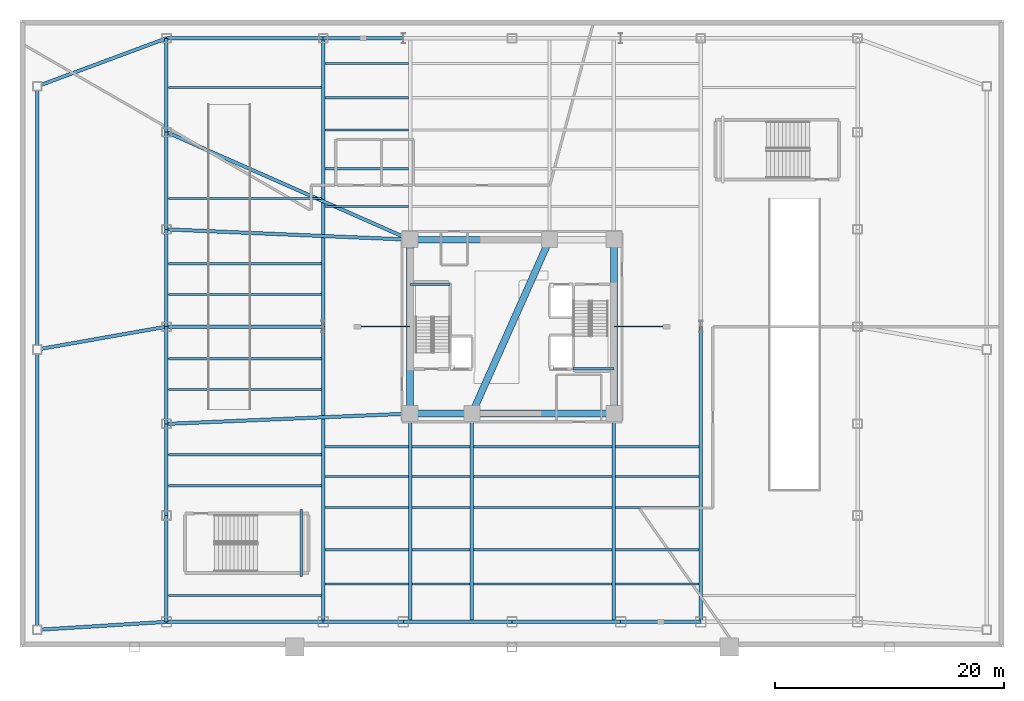
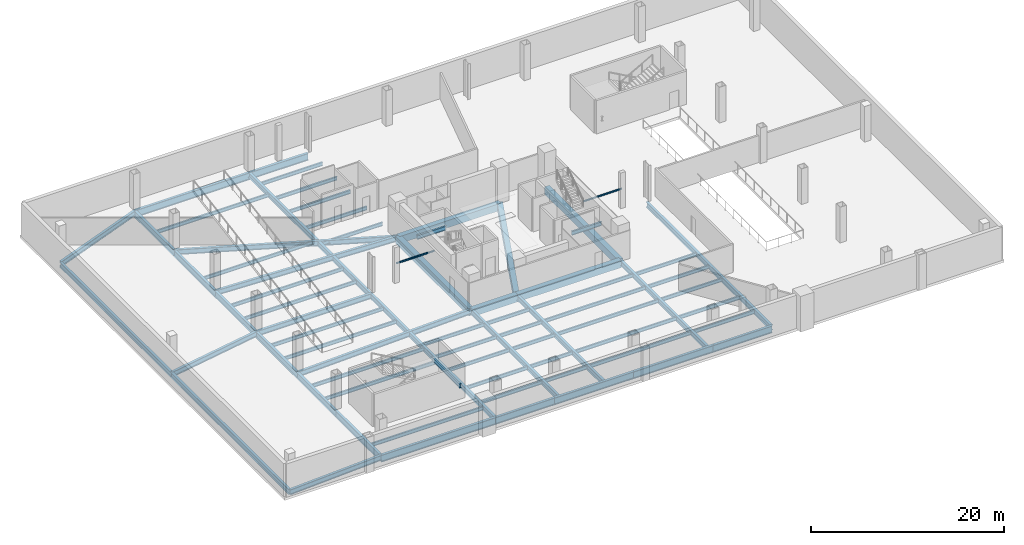
# One storey, part 3 of 14: 73 beams.
"""IFC4 building model written with IfcOpenShell, lengths in metres."""

from ifc_helpers import new_model, si_unit, direction, frame, origin, origin_2d, place, context, subcontext, project, spatial, rectangle, i_section, extrude, material, material_profile, profile_set, type_object, element, save


model = new_model("IFC4")

# Units and contexts
model_context = context("Model", 3, precision=1e-05, world=origin(), true_north=direction((0.0, 1.0)))
body_context = subcontext(model_context, "Body", "Model", "MODEL_VIEW")
ifc_project = project(units=[si_unit("LENGTHUNIT", "METRE"), si_unit("AREAUNIT", "SQUARE_METRE"), si_unit("VOLUMEUNIT", "CUBIC_METRE"), si_unit("PLANEANGLEUNIT", "RADIAN"), si_unit("MASSUNIT", "GRAM", prefix="KILO")], contexts=[model_context])

# Site, building, storey
site_placement = place(None, origin())
site = spatial("IfcSite", under=ifc_project, at=site_placement, CompositionType="ELEMENT")
building_placement = place(site_placement, origin())
building = spatial("IfcBuilding", under=site, at=building_placement, Name="Tharavind Bronze Gate", CompositionType="ELEMENT")
storey_placement = place(building_placement, frame((0.0, 0.0, -4.5)))
storey = spatial("IfcBuildingStorey", under=building, at=storey_placement, Name="B01", CompositionType="ELEMENT", Elevation=-4.5)

# Beams
ifc_material_1 = material(Name="Concrete C50/60", Category="concrete")
ifc_material_profile_1 = material_profile(ifc_material_1, rectangle(XDim=0.60009765625, YDim=0.89990234375, at=origin_2d()), Name="RCBM600X900")
ifc_profile_set_1 = profile_set([ifc_material_profile_1], Name="Concrete C50/60")
beam_type_1 = type_object("IfcBeamType", Name="CORE COUPLING BEAM RC600X900", PredefinedType="BEAM", material=ifc_profile_set_1)
beam_1_placement = place(storey_placement, frame((-8.89990234375, -7.60009765625, -0.77490234375), z_axis=(1.0, 0.0, 0.0), x_axis=(0.0, 1.0, 0.0)))
element("IfcBeam", 1, at=beam_1_placement, inside=storey, type_object=beam_type_1, Name="B01 core coupling beam rc600x900 BM-B01-CR1", PredefinedType="BEAM", context=body_context, shape_type="SweptSolid", body=[
    extrude(rectangle(XDim=0.60009765625, YDim=0.89990234375, at=origin_2d()), origin(), (0.0, 0.0, 1.0), 5.39990234375),
])
beam_2_placement = place(storey_placement, frame((-3.5, -7.60009765625, -0.77490234375), z_axis=(1.0, 0.0, 0.0), x_axis=(0.0, 1.0, 0.0)))
element("IfcBeam", 2, at=beam_2_placement, inside=storey, type_object=beam_type_1, Name="B01 core coupling beam rc600x900 BM-B01-CR2", PredefinedType="BEAM", context=body_context, shape_type="SweptSolid", body=[
    extrude(rectangle(XDim=0.60009765625, YDim=0.89990234375, at=origin_2d()), origin(), (0.0, 0.0, 1.0), 12.39990234375),
])
beam_3_placement = place(storey_placement, frame((8.89990234375, -7.60009765625, -0.77490234375), z_axis=(0.0, 1.0, 0.0), x_axis=(-1.0, 0.0, 0.0)))
element("IfcBeam", 3, at=beam_3_placement, inside=storey, type_object=beam_type_1, Name="B01 core coupling beam rc600x900 BM-B01-CR3", PredefinedType="BEAM", context=body_context, shape_type="SweptSolid", body=[
    extrude(rectangle(XDim=0.60009765625, YDim=0.89990234375, at=origin_2d()), origin(), (0.0, 0.0, 1.0), 15.2001953125),
])
beam_4_placement = place(storey_placement, frame((3.280029296875, 7.60009765625, -0.77490234375), z_axis=(-1.0, 0.0, 0.0), x_axis=(0.0, -1.0, 0.0)))
element("IfcBeam", 4, at=beam_4_placement, inside=storey, type_object=beam_type_1, Name="B01 core coupling beam rc600x900 BM-B01-CR5", PredefinedType="BEAM", context=body_context, shape_type="SweptSolid", body=[
    extrude(rectangle(XDim=0.60009765625, YDim=0.89990234375, at=origin_2d()), origin(), (0.0, 0.0, 1.0), 12.179931640625),
])
beam_5_placement = place(storey_placement, frame((-8.89990234375, 7.60009765625, -0.77490234375), z_axis=(0.0, -1.0, 0.0), x_axis=(1.0, 0.0, 0.0)))
element("IfcBeam", 5, at=beam_5_placement, inside=storey, type_object=beam_type_1, Name="B01 core coupling beam rc600x900 BM-B01-CR6", PredefinedType="BEAM", context=body_context, shape_type="SweptSolid", body=[
    extrude(rectangle(XDim=0.60009765625, YDim=0.89990234375, at=origin_2d()), origin(), (0.0, 0.0, 1.0), 15.2001953125),
])
beam_6_placement = place(storey_placement, frame((-3.5, -7.60009765625, -0.77490234375), z_axis=(0.407361644566, 0.913266932795, 0.0), x_axis=(-0.913266932795, 0.407361644566, 0.0)))
element("IfcBeam", 6, at=beam_6_placement, inside=storey, type_object=beam_type_1, Name="B01 core coupling beam rc600x900 BM-B01-CR7", PredefinedType="BEAM", context=body_context, shape_type="SweptSolid", body=[
    extrude(rectangle(XDim=0.60009765625, YDim=0.89990234375, at=origin_2d()), origin(), (0.0, 0.0, 1.0), 16.643798828125),
])
ifc_material_2 = material(Name="Steel S355", Category="steel")
ifc_material_profile_2 = material_profile(ifc_material_2, i_section(OverallWidth=0.10009765625, OverallDepth=0.199951171875, WebThickness=0.005615234375, FlangeThickness=0.008544921875, at=origin_2d()), Name="IPE200")
ifc_profile_set_2 = profile_set([ifc_material_profile_2], Name="Steel S355")
beam_type_2 = type_object("IfcBeamType", Name="OPENING LINTEL BEAM IPE200", PredefinedType="LINTEL", material=ifc_profile_set_2)
for number, where, z_axis, x_axis, name in (
    (7, (-13.5, 0.0, 2.35009765625), (1.0, 0.0, 0.0), (0.0, 1.0, 0.0), "B01 opening lintel beam ipe200 BM-B01-LNT1"),
    (8, (8.89990234375, 0.0, 2.35009765625), (1.0, 0.0, 0.0), (0.0, 1.0, 0.0), "B01 opening lintel beam ipe200 BM-B01-LNT2"),
):
    element("IfcBeam", number, at=place(storey_placement, frame(where, z_axis=z_axis, x_axis=x_axis)), inside=storey, type_object=beam_type_2, Name=name, PredefinedType="LINTEL", context=body_context, shape_type="SweptSolid", body=[
        extrude(i_section(OverallWidth=0.10009765625, OverallDepth=0.199951171875, WebThickness=0.005615234375, FlangeThickness=0.008544921875, at=origin_2d()), origin(), (0.0, 0.0, 1.0), 4.60009765625),
    ])
ifc_material_profile_3 = material_profile(ifc_material_2, i_section(OverallWidth=0.300048828125, OverallDepth=0.64990234375, WebThickness=0.01611328125, FlangeThickness=0.031005859375, at=origin_2d()), Name="HE650B")
ifc_profile_set_3 = profile_set([ifc_material_profile_3], Name="Steel S355")
beam_type_3 = type_object("IfcBeamType", Name="PRIMARY GIRDER HE650B", PredefinedType="USERDEFINED", material=ifc_profile_set_3)
beam_7_placement = place(storey_placement, frame((-41.5, -26.5, -0.64990234375), z_axis=(0.998087077813, 0.061823823098, 0.0), x_axis=(-0.061823823098, 0.998087077813, 0.0)))
element("IfcBeam", 9, at=beam_7_placement, inside=storey, type_object=beam_type_3, Name="B01 primary girder he650b BM-B01-BWX8", ObjectType="GIRDER", PredefinedType="USERDEFINED", context=body_context, shape_type="SweptSolid", body=[
    extrude(i_section(OverallWidth=0.300048828125, OverallDepth=0.64990234375, WebThickness=0.01611328125, FlangeThickness=0.031005859375, at=origin_2d()), origin(), (0.0, 0.0, 1.0), 11.32177734375),
])
beam_8_placement = place(storey_placement, frame((-41.5, -2.0, -0.64990234375), z_axis=(0.984695836534, 0.17428169586, 0.0), x_axis=(-0.17428169586, 0.984695836534, 0.0)))
element("IfcBeam", 10, at=beam_8_placement, inside=storey, type_object=beam_type_3, Name="B01 primary girder he650b BM-B01-BWX33", ObjectType="GIRDER", PredefinedType="USERDEFINED", context=body_context, shape_type="SweptSolid", body=[
    extrude(i_section(OverallWidth=0.300048828125, OverallDepth=0.64990234375, WebThickness=0.01611328125, FlangeThickness=0.031005859375, at=origin_2d()), origin(), (0.0, 0.0, 1.0), 11.4755859375),
])
beam_9_placement = place(storey_placement, frame((-41.5, 21.0, -0.64990234375), z_axis=(0.937349705603, 0.348389910024, 0.0), x_axis=(-0.348389910024, 0.937349705603, 0.0)))
element("IfcBeam", 11, at=beam_9_placement, inside=storey, type_object=beam_type_3, Name="B01 primary girder he650b BM-B01-BWX56", ObjectType="GIRDER", PredefinedType="USERDEFINED", context=body_context, shape_type="SweptSolid", body=[
    extrude(i_section(OverallWidth=0.300048828125, OverallDepth=0.64990234375, WebThickness=0.01611328125, FlangeThickness=0.031005859375, at=origin_2d()), origin(), (0.0, 0.0, 1.0), 12.055419921875),
])
beam_10_placement = place(storey_placement, frame((-41.5, -26.5, -0.64990234375), z_axis=(0.0, 1.0, 0.0), x_axis=(-1.0, 0.0, 0.0)))
element("IfcBeam", 12, at=beam_10_placement, inside=storey, type_object=beam_type_3, Name="B01 primary girder he650b BM-B01-BWS1", ObjectType="GIRDER", PredefinedType="USERDEFINED", context=body_context, shape_type="SweptSolid", body=[
    extrude(i_section(OverallWidth=0.300048828125, OverallDepth=0.64990234375, WebThickness=0.01611328125, FlangeThickness=0.031005859375, at=origin_2d()), origin(), (0.0, 0.0, 1.0), 24.5),
])
beam_11_placement = place(storey_placement, frame((-41.5, -2.0, -0.64990234375), z_axis=(0.0, 1.0, 0.0), x_axis=(-1.0, 0.0, 0.0)))
element("IfcBeam", 13, at=beam_11_placement, inside=storey, type_object=beam_type_3, Name="B01 primary girder he650b BM-B01-BWN1", ObjectType="GIRDER", PredefinedType="USERDEFINED", context=body_context, shape_type="SweptSolid", body=[
    extrude(i_section(OverallWidth=0.300048828125, OverallDepth=0.64990234375, WebThickness=0.01611328125, FlangeThickness=0.031005859375, at=origin_2d()), origin(), (0.0, 0.0, 1.0), 23.0),
])
beam_12_placement = place(storey_placement, frame((-16.5, -25.800048828125, -0.64990234375), z_axis=(0.0, 1.0, 0.0), x_axis=(-1.0, 0.0, 0.0)))
element("IfcBeam", 14, at=beam_12_placement, inside=storey, type_object=beam_type_3, Name="B01 primary girder he650b BM-B01-GS1S", ObjectType="GIRDER", PredefinedType="USERDEFINED", context=body_context, shape_type="SweptSolid", body=[
    extrude(i_section(OverallWidth=0.300048828125, OverallDepth=0.64990234375, WebThickness=0.01611328125, FlangeThickness=0.031005859375, at=origin_2d()), origin(), (0.0, 0.0, 1.0), 25.800048828125),
])
beam_13_placement = place(storey_placement, frame((-16.5, 0.0, -0.64990234375), z_axis=(0.0, 1.0, 0.0), x_axis=(-1.0, 0.0, 0.0)))
element("IfcBeam", 15, at=beam_13_placement, inside=storey, type_object=beam_type_3, Name="B01 primary girder he650b BM-B01-GS1N", ObjectType="GIRDER", PredefinedType="USERDEFINED", context=body_context, shape_type="SweptSolid", body=[
    extrude(i_section(OverallWidth=0.300048828125, OverallDepth=0.64990234375, WebThickness=0.01611328125, FlangeThickness=0.031005859375, at=origin_2d()), origin(), (0.0, 0.0, 1.0), 25.199951171875),
])
for number, where, z_axis, x_axis, name in (
    (16, (-8.89990234375, -25.800048828125, -0.64990234375), (0.0, 1.0, 0.0), (-1.0, 0.0, 0.0), "B01 primary girder he650b BM-B01-GS2"),
    (17, (-3.5, -25.800048828125, -0.64990234375), (0.0, 1.0, 0.0), (-1.0, 0.0, 0.0), "B01 primary girder he650b BM-B01-GS3"),
    (18, (8.89990234375, -25.800048828125, -0.64990234375), (0.0, 1.0, 0.0), (-1.0, 0.0, 0.0), "B01 primary girder he650b BM-B01-GS4"),
):
    element("IfcBeam", number, at=place(storey_placement, frame(where, z_axis=z_axis, x_axis=x_axis)), inside=storey, type_object=beam_type_3, Name=name, ObjectType="GIRDER", PredefinedType="USERDEFINED", context=body_context, shape_type="SweptSolid", body=[
        extrude(i_section(OverallWidth=0.300048828125, OverallDepth=0.64990234375, WebThickness=0.01611328125, FlangeThickness=0.031005859375, at=origin_2d()), origin(), (0.0, 0.0, 1.0), 18.199951171875),
    ])
beam_14_placement = place(storey_placement, frame((16.5, -25.800048828125, -0.64990234375), z_axis=(0.0, 1.0, 0.0), x_axis=(-1.0, 0.0, 0.0)))
element("IfcBeam", 19, at=beam_14_placement, inside=storey, type_object=beam_type_3, Name="B01 primary girder he650b BM-B01-GS5S", ObjectType="GIRDER", PredefinedType="USERDEFINED", context=body_context, shape_type="SweptSolid", body=[
    extrude(i_section(OverallWidth=0.300048828125, OverallDepth=0.64990234375, WebThickness=0.01611328125, FlangeThickness=0.031005859375, at=origin_2d()), origin(), (0.0, 0.0, 1.0), 25.800048828125),
])
for number, where, z_axis, x_axis, name in (
    (20, (-30.199951171875, -8.5, -0.64990234375), (0.999108710794, 0.04221118354, 0.0), (-0.04221118354, 0.999108710794, 0.0), "B01 primary girder he650b BM-B01-GW1"),
    (21, (-30.199951171875, 8.5, -0.64990234375), (0.999108710794, -0.04221118354, 0.0), (0.04221118354, 0.999108710794, 0.0), "B01 primary girder he650b BM-B01-GW2"),
):
    element("IfcBeam", number, at=place(storey_placement, frame(where, z_axis=z_axis, x_axis=x_axis)), inside=storey, type_object=beam_type_3, Name=name, ObjectType="GIRDER", PredefinedType="USERDEFINED", context=body_context, shape_type="SweptSolid", body=[
        extrude(i_section(OverallWidth=0.300048828125, OverallDepth=0.64990234375, WebThickness=0.01611328125, FlangeThickness=0.031005859375, at=origin_2d()), origin(), (0.0, 0.0, 1.0), 21.319091796875),
    ])
beam_15_placement = place(storey_placement, frame((-30.199951171875, 0.0, -0.64990234375), z_axis=(1.0, 0.0, 0.0), x_axis=(0.0, 1.0, 0.0)))
element("IfcBeam", 22, at=beam_15_placement, inside=storey, type_object=beam_type_3, Name="B01 primary girder he650b BM-B01-GW3", ObjectType="GIRDER", PredefinedType="USERDEFINED", context=body_context, shape_type="SweptSolid", body=[
    extrude(i_section(OverallWidth=0.300048828125, OverallDepth=0.64990234375, WebThickness=0.01611328125, FlangeThickness=0.031005859375, at=origin_2d()), origin(), (0.0, 0.0, 1.0), 13.699951171875),
])
beam_16_placement = place(storey_placement, frame((-30.199951171875, 17.0, -0.64990234375), z_axis=(0.914873033852, -0.403741664844, 0.0), x_axis=(0.403741664844, 0.914873033852, 0.0)))
element("IfcBeam", 23, at=beam_16_placement, inside=storey, type_object=beam_type_3, Name="B01 primary girder he650b BM-B01-GW4", ObjectType="GIRDER", PredefinedType="USERDEFINED", context=body_context, shape_type="SweptSolid", body=[
    extrude(i_section(OverallWidth=0.300048828125, OverallDepth=0.64990234375, WebThickness=0.01611328125, FlangeThickness=0.031005859375, at=origin_2d()), origin(), (0.0, 0.0, 1.0), 23.281982421875),
])
ifc_material_profile_4 = material_profile(ifc_material_2, i_section(OverallWidth=0.199951171875, OverallDepth=0.5, WebThickness=0.01025390625, FlangeThickness=0.01611328125, at=origin_2d()), Name="IPE500")
ifc_profile_set_4 = profile_set([ifc_material_profile_4], Name="Steel S355")
beam_type_4 = type_object("IfcBeamType", Name="PRIMARY GIRDER IPE500", PredefinedType="USERDEFINED", material=ifc_profile_set_4)
beam_17_placement = place(storey_placement, frame((-8.89990234375, 3.679931640625, 1.800048828125), z_axis=(1.0, 0.0, 0.0), x_axis=(0.0, 1.0, 0.0)))
element("IfcBeam", 24, at=beam_17_placement, inside=storey, type_object=beam_type_4, Name="B01 primary girder ipe500 BM-LD-ST1-B01-1", ObjectType="GIRDER", PredefinedType="USERDEFINED", context=body_context, shape_type="SweptSolid", body=[
    extrude(i_section(OverallWidth=0.199951171875, OverallDepth=0.5, WebThickness=0.01025390625, FlangeThickness=0.01611328125, at=origin_2d()), origin(), (0.0, 0.0, 1.0), 3.5),
])
beam_18_placement = place(storey_placement, frame((5.35009765625, -3.679931640625, 1.800048828125), z_axis=(1.0, 0.0, 0.0), x_axis=(0.0, 1.0, 0.0)))
element("IfcBeam", 25, at=beam_18_placement, inside=storey, type_object=beam_type_4, Name="B01 primary girder ipe500 BM-LD-ST2-B01-1", ObjectType="GIRDER", PredefinedType="USERDEFINED", context=body_context, shape_type="SweptSolid", body=[
    extrude(i_section(OverallWidth=0.199951171875, OverallDepth=0.5, WebThickness=0.01025390625, FlangeThickness=0.01611328125, at=origin_2d()), origin(), (0.0, 0.0, 1.0), 3.5498046875),
])
beam_19_placement = place(storey_placement, frame((-18.419921875, -21.85009765625, 1.800048828125), z_axis=(0.0, 1.0, 0.0), x_axis=(-1.0, 0.0, 0.0)))
element("IfcBeam", 26, at=beam_19_placement, inside=storey, type_object=beam_type_4, Name="B01 primary girder ipe500 BM-LD-ST3-B01-1", ObjectType="GIRDER", PredefinedType="USERDEFINED", context=body_context, shape_type="SweptSolid", body=[
    extrude(i_section(OverallWidth=0.199951171875, OverallDepth=0.5, WebThickness=0.01025390625, FlangeThickness=0.01611328125, at=origin_2d()), origin(), (0.0, 0.0, 1.0), 5.85009765625),
])
ifc_material_profile_5 = material_profile(ifc_material_2, i_section(OverallWidth=0.300048828125, OverallDepth=0.800048828125, WebThickness=0.017578125, FlangeThickness=0.032958984375, at=origin_2d()), Name="HE800B")
ifc_profile_set_5 = profile_set([ifc_material_profile_5], Name="Steel S355")
beam_type_5 = type_object("IfcBeamType", Name="RING GIRDER HE800B", PredefinedType="USERDEFINED", material=ifc_profile_set_5)
beam_20_placement = place(storey_placement, frame((-30.199951171875, -25.800048828125, -0.72509765625), z_axis=(0.0, 1.0, 0.0), x_axis=(-1.0, 0.0, 0.0)))
element("IfcBeam", 27, at=beam_20_placement, inside=storey, type_object=beam_type_5, Name="B01 ring girder he800b BM-B01-PW1", ObjectType="GIRDER", PredefinedType="USERDEFINED", context=body_context, shape_type="SweptSolid", body=[
    extrude(i_section(OverallWidth=0.300048828125, OverallDepth=0.800048828125, WebThickness=0.017578125, FlangeThickness=0.032958984375, at=origin_2d()), origin(), (0.0, 0.0, 1.0), 9.300048828125),
])
beam_21_placement = place(storey_placement, frame((-30.199951171875, -16.5, -0.72509765625), z_axis=(0.0, 1.0, 0.0), x_axis=(-1.0, 0.0, 0.0)))
element("IfcBeam", 28, at=beam_21_placement, inside=storey, type_object=beam_type_5, Name="B01 ring girder he800b BM-B01-PW2", ObjectType="GIRDER", PredefinedType="USERDEFINED", context=body_context, shape_type="SweptSolid", body=[
    extrude(i_section(OverallWidth=0.300048828125, OverallDepth=0.800048828125, WebThickness=0.017578125, FlangeThickness=0.032958984375, at=origin_2d()), origin(), (0.0, 0.0, 1.0), 8.0),
])
for number, where, z_axis, x_axis, name in (
    (29, (-30.199951171875, -8.5, -0.72509765625), (0.0, 1.0, 0.0), (-1.0, 0.0, 0.0), "B01 ring girder he800b BM-B01-PW3"),
    (30, (-30.199951171875, 0.0, -0.72509765625), (0.0, 1.0, 0.0), (-1.0, 0.0, 0.0), "B01 ring girder he800b BM-B01-PW4"),
    (31, (-30.199951171875, 8.5, -0.72509765625), (0.0, 1.0, 0.0), (-1.0, 0.0, 0.0), "B01 ring girder he800b BM-B01-PW5"),
):
    element("IfcBeam", number, at=place(storey_placement, frame(where, z_axis=z_axis, x_axis=x_axis)), inside=storey, type_object=beam_type_5, Name=name, ObjectType="GIRDER", PredefinedType="USERDEFINED", context=body_context, shape_type="SweptSolid", body=[
        extrude(i_section(OverallWidth=0.300048828125, OverallDepth=0.800048828125, WebThickness=0.017578125, FlangeThickness=0.032958984375, at=origin_2d()), origin(), (0.0, 0.0, 1.0), 8.5),
    ])
beam_22_placement = place(storey_placement, frame((-30.199951171875, 17.0, -0.72509765625), z_axis=(0.0, 1.0, 0.0), x_axis=(-1.0, 0.0, 0.0)))
element("IfcBeam", 32, at=beam_22_placement, inside=storey, type_object=beam_type_5, Name="B01 ring girder he800b BM-B01-PW6", ObjectType="GIRDER", PredefinedType="USERDEFINED", context=body_context, shape_type="SweptSolid", body=[
    extrude(i_section(OverallWidth=0.300048828125, OverallDepth=0.800048828125, WebThickness=0.017578125, FlangeThickness=0.032958984375, at=origin_2d()), origin(), (0.0, 0.0, 1.0), 8.199951171875),
])
ifc_material_profile_6 = material_profile(ifc_material_2, i_section(OverallWidth=0.18994140625, OverallDepth=0.449951171875, WebThickness=0.009521484375, FlangeThickness=0.0146484375, at=origin_2d()), Name="IPE450")
ifc_profile_set_6 = profile_set([ifc_material_profile_6], Name="Steel S355")
beam_type_6 = type_object("IfcBeamType", Name="SECONDARY FLOOR JOIST IPE450", PredefinedType="JOIST", material=ifc_profile_set_6)
beam_23_placement = place(storey_placement, frame((-8.748046875, -22.5, -0.550048828125), z_axis=(1.0, 0.0, 0.0), x_axis=(0.0, 1.0, 0.0)))
element("IfcBeam", 33, at=beam_23_placement, inside=storey, type_object=beam_type_6, Name="B01 secondary floor joist ipe450 BM-B01-JSS1A", PredefinedType="JOIST", context=body_context, shape_type="SweptSolid", body=[
    extrude(i_section(OverallWidth=0.18994140625, OverallDepth=0.449951171875, WebThickness=0.009521484375, FlangeThickness=0.0146484375, at=origin_2d()), origin(), (0.0, 0.0, 1.0), 5.095947265625),
])
beam_24_placement = place(storey_placement, frame((-3.347900390625, -22.5, -0.550048828125), z_axis=(1.0, 0.0, 0.0), x_axis=(0.0, 1.0, 0.0)))
element("IfcBeam", 34, at=beam_24_placement, inside=storey, type_object=beam_type_6, Name="B01 secondary floor joist ipe450 BM-B01-JSS1B", PredefinedType="JOIST", context=body_context, shape_type="SweptSolid", body=[
    extrude(i_section(OverallWidth=0.18994140625, OverallDepth=0.449951171875, WebThickness=0.009521484375, FlangeThickness=0.0146484375, at=origin_2d()), origin(), (0.0, 0.0, 1.0), 12.095947265625),
])
for number, where, z_axis, x_axis, name in (
    (35, (-16.347900390625, -22.5, -0.550048828125), (1.0, 0.0, 0.0), (0.0, 1.0, 0.0), "B01 secondary floor joist ipe450 BM-B01-JSS1W"),
    (36, (9.052001953125, -22.5, -0.550048828125), (1.0, 0.0, 0.0), (0.0, 1.0, 0.0), "B01 secondary floor joist ipe450 BM-B01-JSS1E"),
):
    element("IfcBeam", number, at=place(storey_placement, frame(where, z_axis=z_axis, x_axis=x_axis)), inside=storey, type_object=beam_type_6, Name=name, PredefinedType="JOIST", context=body_context, shape_type="SweptSolid", body=[
        extrude(i_section(OverallWidth=0.18994140625, OverallDepth=0.449951171875, WebThickness=0.009521484375, FlangeThickness=0.0146484375, at=origin_2d()), origin(), (0.0, 0.0, 1.0), 7.2958984375),
    ])
beam_25_placement = place(storey_placement, frame((-8.748046875, -19.5, -0.550048828125), z_axis=(1.0, 0.0, 0.0), x_axis=(0.0, 1.0, 0.0)))
element("IfcBeam", 37, at=beam_25_placement, inside=storey, type_object=beam_type_6, Name="B01 secondary floor joist ipe450 BM-B01-JSS2A", PredefinedType="JOIST", context=body_context, shape_type="SweptSolid", body=[
    extrude(i_section(OverallWidth=0.18994140625, OverallDepth=0.449951171875, WebThickness=0.009521484375, FlangeThickness=0.0146484375, at=origin_2d()), origin(), (0.0, 0.0, 1.0), 5.095947265625),
])
beam_26_placement = place(storey_placement, frame((-3.347900390625, -19.5, -0.550048828125), z_axis=(1.0, 0.0, 0.0), x_axis=(0.0, 1.0, 0.0)))
element("IfcBeam", 38, at=beam_26_placement, inside=storey, type_object=beam_type_6, Name="B01 secondary floor joist ipe450 BM-B01-JSS2B", PredefinedType="JOIST", context=body_context, shape_type="SweptSolid", body=[
    extrude(i_section(OverallWidth=0.18994140625, OverallDepth=0.449951171875, WebThickness=0.009521484375, FlangeThickness=0.0146484375, at=origin_2d()), origin(), (0.0, 0.0, 1.0), 12.095947265625),
])
for number, where, z_axis, x_axis, name in (
    (39, (-16.347900390625, -19.5, -0.550048828125), (1.0, 0.0, 0.0), (0.0, 1.0, 0.0), "B01 secondary floor joist ipe450 BM-B01-JSS2W"),
    (40, (9.052001953125, -19.5, -0.550048828125), (1.0, 0.0, 0.0), (0.0, 1.0, 0.0), "B01 secondary floor joist ipe450 BM-B01-JSS2E"),
):
    element("IfcBeam", number, at=place(storey_placement, frame(where, z_axis=z_axis, x_axis=x_axis)), inside=storey, type_object=beam_type_6, Name=name, PredefinedType="JOIST", context=body_context, shape_type="SweptSolid", body=[
        extrude(i_section(OverallWidth=0.18994140625, OverallDepth=0.449951171875, WebThickness=0.009521484375, FlangeThickness=0.0146484375, at=origin_2d()), origin(), (0.0, 0.0, 1.0), 7.2958984375),
    ])
beam_27_placement = place(storey_placement, frame((-8.748046875, -15.800048828125, -0.550048828125), z_axis=(1.0, 0.0, 0.0), x_axis=(0.0, 1.0, 0.0)))
element("IfcBeam", 41, at=beam_27_placement, inside=storey, type_object=beam_type_6, Name="B01 secondary floor joist ipe450 BM-B01-JSS3A", PredefinedType="JOIST", context=body_context, shape_type="SweptSolid", body=[
    extrude(i_section(OverallWidth=0.18994140625, OverallDepth=0.449951171875, WebThickness=0.009521484375, FlangeThickness=0.0146484375, at=origin_2d()), origin(), (0.0, 0.0, 1.0), 5.095947265625),
])
beam_28_placement = place(storey_placement, frame((-3.347900390625, -15.800048828125, -0.550048828125), z_axis=(1.0, 0.0, 0.0), x_axis=(0.0, 1.0, 0.0)))
element("IfcBeam", 42, at=beam_28_placement, inside=storey, type_object=beam_type_6, Name="B01 secondary floor joist ipe450 BM-B01-JSS3B", PredefinedType="JOIST", context=body_context, shape_type="SweptSolid", body=[
    extrude(i_section(OverallWidth=0.18994140625, OverallDepth=0.449951171875, WebThickness=0.009521484375, FlangeThickness=0.0146484375, at=origin_2d()), origin(), (0.0, 0.0, 1.0), 12.095947265625),
])
for number, where, z_axis, x_axis, name in (
    (43, (-16.347900390625, -15.800048828125, -0.550048828125), (1.0, 0.0, 0.0), (0.0, 1.0, 0.0), "B01 secondary floor joist ipe450 BM-B01-JSS3W"),
    (44, (9.052001953125, -15.800048828125, -0.550048828125), (1.0, 0.0, 0.0), (0.0, 1.0, 0.0), "B01 secondary floor joist ipe450 BM-B01-JSS3E"),
):
    element("IfcBeam", number, at=place(storey_placement, frame(where, z_axis=z_axis, x_axis=x_axis)), inside=storey, type_object=beam_type_6, Name=name, PredefinedType="JOIST", context=body_context, shape_type="SweptSolid", body=[
        extrude(i_section(OverallWidth=0.18994140625, OverallDepth=0.449951171875, WebThickness=0.009521484375, FlangeThickness=0.0146484375, at=origin_2d()), origin(), (0.0, 0.0, 1.0), 7.2958984375),
    ])
beam_29_placement = place(storey_placement, frame((-8.748046875, -13.10009765625, -0.550048828125), z_axis=(1.0, 0.0, 0.0), x_axis=(0.0, 1.0, 0.0)))
element("IfcBeam", 45, at=beam_29_placement, inside=storey, type_object=beam_type_6, Name="B01 secondary floor joist ipe450 BM-B01-JSS4A", PredefinedType="JOIST", context=body_context, shape_type="SweptSolid", body=[
    extrude(i_section(OverallWidth=0.18994140625, OverallDepth=0.449951171875, WebThickness=0.009521484375, FlangeThickness=0.0146484375, at=origin_2d()), origin(), (0.0, 0.0, 1.0), 5.095947265625),
])
beam_30_placement = place(storey_placement, frame((-3.347900390625, -13.10009765625, -0.550048828125), z_axis=(1.0, 0.0, 0.0), x_axis=(0.0, 1.0, 0.0)))
element("IfcBeam", 46, at=beam_30_placement, inside=storey, type_object=beam_type_6, Name="B01 secondary floor joist ipe450 BM-B01-JSS4B", PredefinedType="JOIST", context=body_context, shape_type="SweptSolid", body=[
    extrude(i_section(OverallWidth=0.18994140625, OverallDepth=0.449951171875, WebThickness=0.009521484375, FlangeThickness=0.0146484375, at=origin_2d()), origin(), (0.0, 0.0, 1.0), 12.095947265625),
])
for number, where, z_axis, x_axis, name in (
    (47, (-16.347900390625, -13.10009765625, -0.550048828125), (1.0, 0.0, 0.0), (0.0, 1.0, 0.0), "B01 secondary floor joist ipe450 BM-B01-JSS4W"),
    (48, (9.052001953125, -13.10009765625, -0.550048828125), (1.0, 0.0, 0.0), (0.0, 1.0, 0.0), "B01 secondary floor joist ipe450 BM-B01-JSS4E"),
):
    element("IfcBeam", number, at=place(storey_placement, frame(where, z_axis=z_axis, x_axis=x_axis)), inside=storey, type_object=beam_type_6, Name=name, PredefinedType="JOIST", context=body_context, shape_type="SweptSolid", body=[
        extrude(i_section(OverallWidth=0.18994140625, OverallDepth=0.449951171875, WebThickness=0.009521484375, FlangeThickness=0.0146484375, at=origin_2d()), origin(), (0.0, 0.0, 1.0), 7.2958984375),
    ])
beam_31_placement = place(storey_placement, frame((-8.748046875, -10.5, -0.550048828125), z_axis=(1.0, 0.0, 0.0), x_axis=(0.0, 1.0, 0.0)))
element("IfcBeam", 49, at=beam_31_placement, inside=storey, type_object=beam_type_6, Name="B01 secondary floor joist ipe450 BM-B01-JSS5A", PredefinedType="JOIST", context=body_context, shape_type="SweptSolid", body=[
    extrude(i_section(OverallWidth=0.18994140625, OverallDepth=0.449951171875, WebThickness=0.009521484375, FlangeThickness=0.0146484375, at=origin_2d()), origin(), (0.0, 0.0, 1.0), 5.095947265625),
])
beam_32_placement = place(storey_placement, frame((-3.347900390625, -10.5, -0.550048828125), z_axis=(1.0, 0.0, 0.0), x_axis=(0.0, 1.0, 0.0)))
element("IfcBeam", 50, at=beam_32_placement, inside=storey, type_object=beam_type_6, Name="B01 secondary floor joist ipe450 BM-B01-JSS5B", PredefinedType="JOIST", context=body_context, shape_type="SweptSolid", body=[
    extrude(i_section(OverallWidth=0.18994140625, OverallDepth=0.449951171875, WebThickness=0.009521484375, FlangeThickness=0.0146484375, at=origin_2d()), origin(), (0.0, 0.0, 1.0), 12.095947265625),
])
for number, where, z_axis, x_axis, name in (
    (51, (-16.347900390625, -10.5, -0.550048828125), (1.0, 0.0, 0.0), (0.0, 1.0, 0.0), "B01 secondary floor joist ipe450 BM-B01-JSS5W"),
    (52, (9.052001953125, -10.5, -0.550048828125), (1.0, 0.0, 0.0), (0.0, 1.0, 0.0), "B01 secondary floor joist ipe450 BM-B01-JSS5E"),
    (53, (-16.347900390625, 10.5, -0.550048828125), (1.0, 0.0, 0.0), (0.0, 1.0, 0.0), "B01 secondary floor joist ipe450 BM-B01-JSN1W"),
    (54, (-16.347900390625, 13.800048828125, -0.550048828125), (1.0, 0.0, 0.0), (0.0, 1.0, 0.0), "B01 secondary floor joist ipe450 BM-B01-JSN2W"),
    (55, (-16.347900390625, 17.199951171875, -0.550048828125), (1.0, 0.0, 0.0), (0.0, 1.0, 0.0), "B01 secondary floor joist ipe450 BM-B01-JSN3W"),
    (56, (-16.347900390625, 20.0, -0.550048828125), (1.0, 0.0, 0.0), (0.0, 1.0, 0.0), "B01 secondary floor joist ipe450 BM-B01-JSN4W"),
    (57, (-16.347900390625, 23.0, -0.550048828125), (1.0, 0.0, 0.0), (0.0, 1.0, 0.0), "B01 secondary floor joist ipe450 BM-B01-JSN5W"),
):
    element("IfcBeam", number, at=place(storey_placement, frame(where, z_axis=z_axis, x_axis=x_axis)), inside=storey, type_object=beam_type_6, Name=name, PredefinedType="JOIST", context=body_context, shape_type="SweptSolid", body=[
        extrude(i_section(OverallWidth=0.18994140625, OverallDepth=0.449951171875, WebThickness=0.009521484375, FlangeThickness=0.0146484375, at=origin_2d()), origin(), (0.0, 0.0, 1.0), 7.2958984375),
    ])
for number, where, z_axis, x_axis, name in (
    (58, (-30.0400390625, -23.5, -0.550048828125), (1.0, 0.0, 0.0), (0.0, 1.0, 0.0), "B01 secondary floor joist ipe450 BM-B01-JSWW1"),
    (59, (-30.0400390625, -13.89990234375, -0.550048828125), (1.0, 0.0, 0.0), (0.0, 1.0, 0.0), "B01 secondary floor joist ipe450 BM-B01-JSWW2"),
    (60, (-30.0400390625, -11.199951171875, -0.550048828125), (1.0, 0.0, 0.0), (0.0, 1.0, 0.0), "B01 secondary floor joist ipe450 BM-B01-JSWW3"),
    (61, (-30.0400390625, -5.5, -0.550048828125), (1.0, 0.0, 0.0), (0.0, 1.0, 0.0), "B01 secondary floor joist ipe450 BM-B01-JSWW4"),
    (62, (-30.0400390625, -2.800048828125, -0.550048828125), (1.0, 0.0, 0.0), (0.0, 1.0, 0.0), "B01 secondary floor joist ipe450 BM-B01-JSWW5"),
    (63, (-30.0400390625, 2.800048828125, -0.550048828125), (1.0, 0.0, 0.0), (0.0, 1.0, 0.0), "B01 secondary floor joist ipe450 BM-B01-JSWW6"),
    (64, (-30.0400390625, 5.5, -0.550048828125), (1.0, 0.0, 0.0), (0.0, 1.0, 0.0), "B01 secondary floor joist ipe450 BM-B01-JSWW7"),
    (65, (-30.0400390625, 11.199951171875, -0.550048828125), (1.0, 0.0, 0.0), (0.0, 1.0, 0.0), "B01 secondary floor joist ipe450 BM-B01-JSWW8"),
    (66, (-30.0400390625, 20.89990234375, -0.550048828125), (1.0, 0.0, 0.0), (0.0, 1.0, 0.0), "B01 secondary floor joist ipe450 BM-B01-JSWW9"),
):
    element("IfcBeam", number, at=place(storey_placement, frame(where, z_axis=z_axis, x_axis=x_axis)), inside=storey, type_object=beam_type_6, Name=name, PredefinedType="JOIST", context=body_context, shape_type="SweptSolid", body=[
        extrude(i_section(OverallWidth=0.18994140625, OverallDepth=0.449951171875, WebThickness=0.009521484375, FlangeThickness=0.0146484375, at=origin_2d()), origin(), (0.0, 0.0, 1.0), 13.387939453125),
    ])
ifc_material_profile_7 = material_profile(ifc_material_2, i_section(OverallWidth=0.300048828125, OverallDepth=0.89990234375, WebThickness=0.0185546875, FlangeThickness=0.034912109375, at=origin_2d()), Name="HE900B")
ifc_profile_set_7 = profile_set([ifc_material_profile_7], Name="Steel S355")
beam_type_7 = type_object("IfcBeamType", Name="SPANDREL RING BEAM HE900B", PredefinedType="SPANDREL", material=ifc_profile_set_7)
for number, where, z_axis, x_axis, name in (
    (67, (-30.199951171875, -25.800048828125, -0.77490234375), (1.0, 0.0, 0.0), (0.0, 1.0, 0.0), "B01 spandrel ring beam he900b BM-B01-PS1"),
    (68, (-30.199951171875, 25.199951171875, -0.77490234375), (1.0, 0.0, 0.0), (0.0, 1.0, 0.0), "B01 spandrel ring beam he900b BM-B01-PN1"),
):
    element("IfcBeam", number, at=place(storey_placement, frame(where, z_axis=z_axis, x_axis=x_axis)), inside=storey, type_object=beam_type_7, Name=name, PredefinedType="SPANDREL", context=body_context, shape_type="SweptSolid", body=[
        extrude(i_section(OverallWidth=0.300048828125, OverallDepth=0.89990234375, WebThickness=0.0185546875, FlangeThickness=0.034912109375, at=origin_2d()), origin(), (0.0, 0.0, 1.0), 13.699951171875),
    ])
for number, where, z_axis, x_axis, name in (
    (69, (-16.5, -25.800048828125, -0.77490234375), (1.0, 0.0, 0.0), (0.0, 1.0, 0.0), "B01 spandrel ring beam he900b BM-B01-PS2"),
    (70, (-16.5, 25.199951171875, -0.77490234375), (1.0, 0.0, 0.0), (0.0, 1.0, 0.0), "B01 spandrel ring beam he900b BM-B01-PN2"),
):
    element("IfcBeam", number, at=place(storey_placement, frame(where, z_axis=z_axis, x_axis=x_axis)), inside=storey, type_object=beam_type_7, Name=name, PredefinedType="SPANDREL", context=body_context, shape_type="SweptSolid", body=[
        extrude(i_section(OverallWidth=0.300048828125, OverallDepth=0.89990234375, WebThickness=0.0185546875, FlangeThickness=0.034912109375, at=origin_2d()), origin(), (0.0, 0.0, 1.0), 7.0),
    ])
for number, where, z_axis, x_axis, name in (
    (71, (-9.5, -25.800048828125, -0.77490234375), (1.0, 0.0, 0.0), (0.0, 1.0, 0.0), "B01 spandrel ring beam he900b BM-B01-PS3"),
    (72, (0.0, -25.800048828125, -0.77490234375), (1.0, 0.0, 0.0), (0.0, 1.0, 0.0), "B01 spandrel ring beam he900b BM-B01-PS4"),
):
    element("IfcBeam", number, at=place(storey_placement, frame(where, z_axis=z_axis, x_axis=x_axis)), inside=storey, type_object=beam_type_7, Name=name, PredefinedType="SPANDREL", context=body_context, shape_type="SweptSolid", body=[
        extrude(i_section(OverallWidth=0.300048828125, OverallDepth=0.89990234375, WebThickness=0.0185546875, FlangeThickness=0.034912109375, at=origin_2d()), origin(), (0.0, 0.0, 1.0), 9.5),
    ])
beam_33_placement = place(storey_placement, frame((9.5, -25.800048828125, -0.77490234375), z_axis=(1.0, 0.0, 0.0), x_axis=(0.0, 1.0, 0.0)))
element("IfcBeam", 73, at=beam_33_placement, inside=storey, type_object=beam_type_7, Name="B01 spandrel ring beam he900b BM-B01-PS5", PredefinedType="SPANDREL", context=body_context, shape_type="SweptSolid", body=[
    extrude(i_section(OverallWidth=0.300048828125, OverallDepth=0.89990234375, WebThickness=0.0185546875, FlangeThickness=0.034912109375, at=origin_2d()), origin(), (0.0, 0.0, 1.0), 7.0),
])

save(model, "model.ifc")
